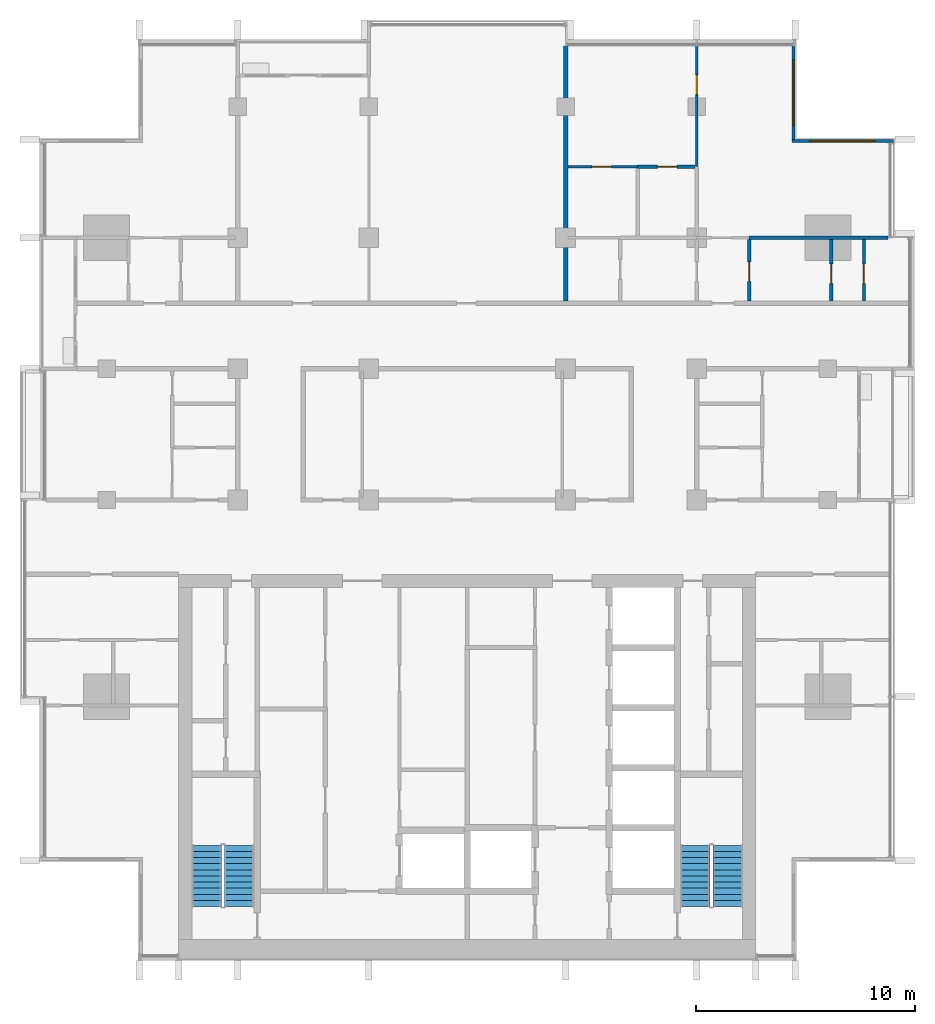
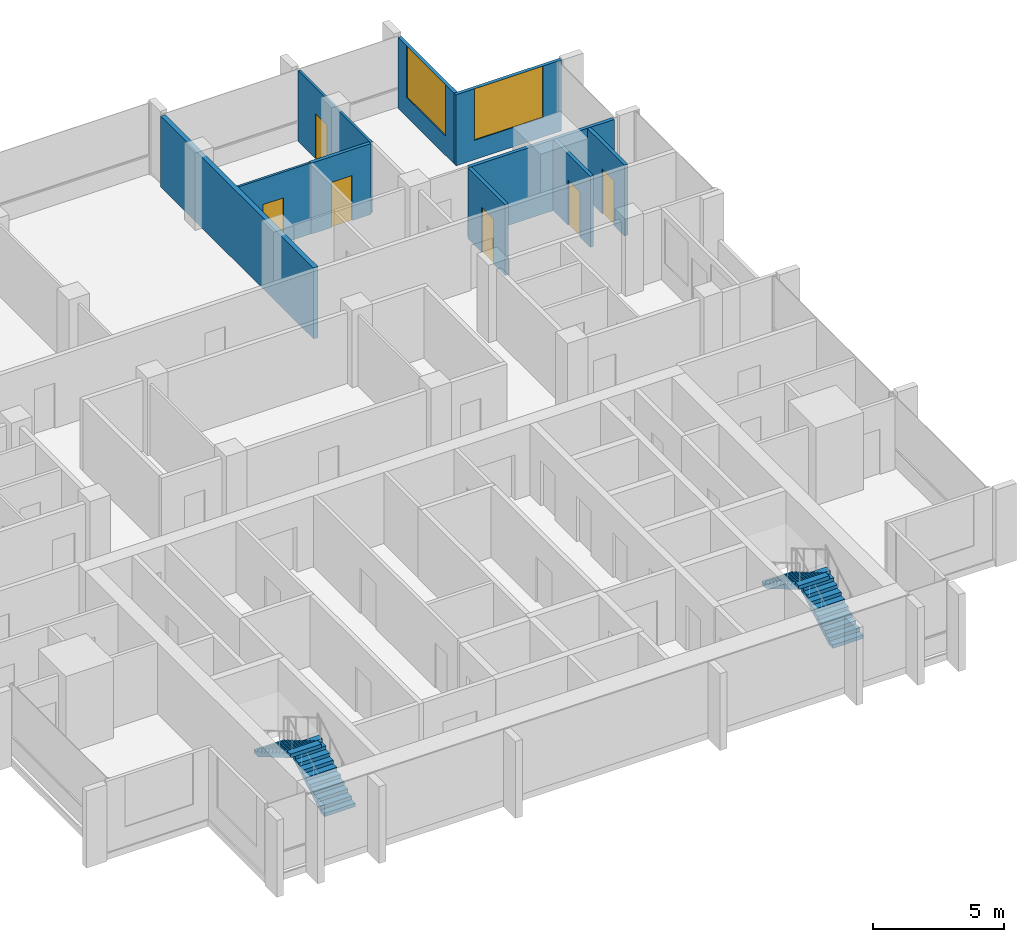
# One storey, part 11 of 16: 10 walls, 6 doors, 4 stair flights, 2 windows, 8 openings, 2 elements without a shape of their own.
"""IFC4 building model written with IfcOpenShell, lengths in metres."""

from ifc_helpers import new_model, si_unit, direction, frame, frame_2d, origin, place, context, subcontext, project, spatial, polyline, rectangle, outline, extrude, material, layer, layer_set, type_object, element, fill, aggregate, save


model = new_model("IFC4")

# Units and contexts
model_context = context("Model", 3, precision=1e-05, world=origin(), true_north=direction((0.0, 1.0)))
body_context = subcontext(model_context, "Body", "Model", "MODEL_VIEW")
ifc_project = project(units=[si_unit("LENGTHUNIT", "METRE"), si_unit("AREAUNIT", "SQUARE_METRE"), si_unit("VOLUMEUNIT", "CUBIC_METRE"), si_unit("PLANEANGLEUNIT", "RADIAN"), si_unit("MASSUNIT", "GRAM", prefix="KILO")], contexts=[model_context])

# Site, building, storey
site_placement = place(None, origin())
site = spatial("IfcSite", under=ifc_project, at=site_placement, CompositionType="ELEMENT")
building_placement = place(site_placement, origin())
building = spatial("IfcBuilding", under=site, at=building_placement, Name="Finial Court Residences", CompositionType="ELEMENT")
storey_placement = place(building_placement, frame((0.0, 0.0, 208.699951171875)))
storey = spatial("IfcBuildingStorey", under=building, at=storey_placement, Name="L52", CompositionType="ELEMENT", Elevation=208.699951171875)

# Wall
ifc_material_1 = material(Name="Gypsum board")
ifc_layer_1 = layer(ifc_material_1, 0.02490234375)
ifc_material_2 = material(Name="Acoustic mineral wool in double frame")
ifc_layer_2 = layer(ifc_material_2, 0.14990234375)
ifc_layer_3 = layer(ifc_material_1, 0.02490234375)
ifc_layer_set_1 = layer_set([ifc_layer_1, ifc_layer_2, ifc_layer_3], Name="Corridor wall 200, 1 hour")
wall_type_1 = type_object("IfcWallType", Name="Corridor wall 200, 1 hour", PredefinedType="PARTITIONING", material=ifc_layer_set_1)
wall_1_placement = place(storey_placement, frame((4.5, 4.60009765625, 0.0), z_axis=(0.0, 0.0, 1.0), x_axis=(0.0, 1.0, 0.0)))
element("IfcWall", 1, at=wall_1_placement, inside=storey, type_object=wall_type_1, Name="Partition L52-037", PredefinedType="PARTITIONING", context=body_context, shape_type="SweptSolid", body=[
    extrude(rectangle(XDim=11.662353515625, YDim=0.199951171875, at=frame_2d((5.8310546875, 0.0))), origin(), (0.0, 0.0, 1.0), 3.300048828125),
])

# Wall, opening, door
ifc_layer_4 = layer(ifc_material_1, 0.012451171875)
ifc_material_3 = material(Name="Mineral wool in light-gauge frame")
ifc_layer_5 = layer(ifc_material_3, 0.074951171875)
ifc_layer_6 = layer(ifc_material_1, 0.012451171875)
ifc_layer_set_2 = layer_set([ifc_layer_4, ifc_layer_5, ifc_layer_6], Name="Gypsum board partition 100")
wall_type_2 = type_object("IfcWallType", Name="Gypsum board partition 100", PredefinedType="PARTITIONING", material=ifc_layer_set_2)
wall_2_placement = place(storey_placement, frame((4.60009765625, 10.75, 0.0), z_axis=(0.0, 0.0, 1.0), x_axis=(1.0, 0.0, 0.0)))
wall_2 = element("IfcWall", 2, at=wall_2_placement, inside=storey, type_object=wall_type_2, Name="Partition L52-024", PredefinedType="PARTITIONING", context=body_context, shape_type="SweptSolid", body=[
    extrude(rectangle(XDim=3.199951171875, YDim=0.10009765625, at=frame_2d((1.60009765625, 0.0))), origin(), (0.0, 0.0, 1.0), 3.300048828125),
])
opening_1_placement = place(wall_2_placement, frame((1.10009765625, 0.0, 0.0)))
opening_1 = element("IfcOpeningElement", 3, at=opening_1_placement, cuts=wall_2, Name="Opening L52-D022", PredefinedType="OPENING", context=body_context, shape_type="SweptSolid", body=[
    extrude(rectangle(XDim=0.89990234375, YDim=2.10009765625, at=frame_2d((0.449951171875, 1.050048828125))), frame((0.0, 0.06005859375, 0.0), z_axis=(0.0, -1.0, 0.0), x_axis=(1.0, 0.0, 0.0)), (0.0, 0.0, 1.0), 0.1201171875),
])
ifc_material_4 = material(Name="Timber door leaf in timber frame", Category="wood")
door_type = type_object("IfcDoorType", Name="Door set 900 x 2100", OperationType="SINGLE_SWING_LEFT", PredefinedType="DOOR", material=ifc_material_4)
door_1_placement = place(opening_1_placement, origin())
door_1 = element("IfcDoor", 4, at=door_1_placement, inside=storey, type_object=door_type, Name="Door L52-D022", OperationType="SINGLE_SWING_LEFT", OverallHeight=2.10009765625, OverallWidth=0.89990234375, PredefinedType="DOOR", context=body_context, shape_type="SweptSolid", body=[
    extrude(rectangle(XDim=0.89990234375, YDim=2.10009765625, at=frame_2d((0.449951171875, 1.050048828125))), frame((0.0, 0.02490234375, 0.0), z_axis=(0.0, -1.0, 0.0), x_axis=(1.0, 0.0, 0.0)), (0.0, 0.0, 1.0), 0.050048828125),
])
fill(opening_1, door_1)

wall_3_placement = place(storey_placement, frame((10.5, 10.75, 0.0), z_axis=(0.0, 0.0, 1.0), x_axis=(0.0, 1.0, 0.0)))
wall_3 = element("IfcWall", 5, at=wall_3_placement, inside=storey, type_object=wall_type_2, Name="Partition L52-042", PredefinedType="PARTITIONING", context=body_context, shape_type="SweptSolid", body=[
    extrude(rectangle(XDim=5.512451171875, YDim=0.10009765625, at=frame_2d((2.75634765625, 0.0))), origin(), (0.0, 0.0, 1.0), 3.300048828125),
])
opening_2_placement = place(wall_3_placement, frame((3.300048828125, 0.0, 0.0)))
opening_2 = element("IfcOpeningElement", 6, at=opening_2_placement, cuts=wall_3, Name="Opening L52-D029", PredefinedType="OPENING", context=body_context, shape_type="SweptSolid", body=[
    extrude(rectangle(XDim=0.89990234375, YDim=2.10009765625, at=frame_2d((0.449951171875, 1.050048828125))), frame((0.0, 0.06005859375, 0.0), z_axis=(0.0, -1.0, 0.0), x_axis=(1.0, 0.0, 0.0)), (0.0, 0.0, 1.0), 0.1201171875),
])
door_2_placement = place(opening_2_placement, origin())
door_2 = element("IfcDoor", 7, at=door_2_placement, inside=storey, type_object=door_type, Name="Door L52-D029", OperationType="SINGLE_SWING_LEFT", OverallHeight=2.10009765625, OverallWidth=0.89990234375, PredefinedType="DOOR", context=body_context, shape_type="SweptSolid", body=[
    extrude(rectangle(XDim=0.89990234375, YDim=2.10009765625, at=frame_2d((0.449951171875, 1.050048828125))), frame((0.0, 0.02490234375, 0.0), z_axis=(0.0, -1.0, 0.0), x_axis=(1.0, 0.0, 0.0)), (0.0, 0.0, 1.0), 0.050048828125),
])
fill(opening_2, door_2)

# Wall
ifc_material_5 = material(Name="Moisture-resistant gypsum board")
ifc_layer_7 = layer(ifc_material_5, 0.012451171875)
ifc_layer_8 = layer(ifc_material_3, 0.125)
ifc_layer_9 = layer(ifc_material_5, 0.012451171875)
ifc_layer_set_3 = layer_set([ifc_layer_7, ifc_layer_8, ifc_layer_9], Name="Gypsum board wet-area partition 150")
wall_type_3 = type_object("IfcWallType", Name="Gypsum board wet-area partition 150", PredefinedType="PARTITIONING", material=ifc_layer_set_3)
wall_4_placement = place(storey_placement, frame((12.89990234375, 7.5, 0.0), z_axis=(0.0, 0.0, 1.0), x_axis=(1.0, 0.0, 0.0)))
element("IfcWall", 8, at=wall_4_placement, inside=storey, type_object=wall_type_3, Name="Partition L52-023", PredefinedType="PARTITIONING", context=body_context, shape_type="SweptSolid", body=[
    extrude(rectangle(XDim=6.362548828125, YDim=0.14990234375, at=frame_2d((3.18115234375, 0.0))), origin(), (0.0, 0.0, 1.0), 3.300048828125),
])

# Wall, opening, door
wall_5_placement = place(storey_placement, frame((7.800048828125, 10.75, 0.0), z_axis=(0.0, 0.0, 1.0), x_axis=(1.0, 0.0, 0.0)))
wall_5 = element("IfcWall", 9, at=wall_5_placement, inside=storey, type_object=wall_type_3, Name="Partition L52-025", PredefinedType="PARTITIONING", context=body_context, shape_type="SweptSolid", body=[
    extrude(rectangle(XDim=2.625, YDim=0.14990234375, at=frame_2d((1.3125, 0.0))), origin(), (0.0, 0.0, 1.0), 3.300048828125),
])
opening_3_placement = place(wall_5_placement, frame((0.89990234375, 0.0, 0.0)))
opening_3 = element("IfcOpeningElement", 10, at=opening_3_placement, cuts=wall_5, Name="Opening L52-D023", PredefinedType="OPENING", context=body_context, shape_type="SweptSolid", body=[
    extrude(rectangle(XDim=0.89990234375, YDim=2.10009765625, at=frame_2d((0.449951171875, 1.050048828125))), frame((0.0, 0.0849609375, 0.0), z_axis=(0.0, -1.0, 0.0), x_axis=(1.0, 0.0, 0.0)), (0.0, 0.0, 1.0), 0.169921875),
])
door_3_placement = place(opening_3_placement, origin())
door_3 = element("IfcDoor", 11, at=door_3_placement, inside=storey, type_object=door_type, Name="Door L52-D023", OperationType="SINGLE_SWING_RIGHT", OverallHeight=2.10009765625, OverallWidth=0.89990234375, PredefinedType="DOOR", context=body_context, shape_type="SweptSolid", body=[
    extrude(rectangle(XDim=0.89990234375, YDim=2.10009765625, at=frame_2d((0.449951171875, 1.050048828125))), frame((0.0, 0.02490234375, 0.0), z_axis=(0.0, -1.0, 0.0), x_axis=(1.0, 0.0, 0.0)), (0.0, 0.0, 1.0), 0.050048828125),
])
fill(opening_3, door_3)

wall_6_placement = place(storey_placement, frame((12.89990234375, 4.60009765625, 0.0), z_axis=(0.0, 0.0, 1.0), x_axis=(0.0, 1.0, 0.0)))
wall_6 = element("IfcWall", 12, at=wall_6_placement, inside=storey, type_object=wall_type_3, Name="Partition L52-045", PredefinedType="PARTITIONING", context=body_context, shape_type="SweptSolid", body=[
    extrude(rectangle(XDim=2.824951171875, YDim=0.14990234375, at=frame_2d((1.41259765625, 0.0))), origin(), (0.0, 0.0, 1.0), 3.300048828125),
])
opening_4_placement = place(wall_6_placement, frame((0.89990234375, 0.0, 0.0)))
opening_4 = element("IfcOpeningElement", 13, at=opening_4_placement, cuts=wall_6, Name="Opening L52-D031", PredefinedType="OPENING", context=body_context, shape_type="SweptSolid", body=[
    extrude(rectangle(XDim=0.89990234375, YDim=2.10009765625, at=frame_2d((0.449951171875, 1.050048828125))), frame((0.0, 0.0849609375, 0.0), z_axis=(0.0, -1.0, 0.0), x_axis=(1.0, 0.0, 0.0)), (0.0, 0.0, 1.0), 0.169921875),
])
door_4_placement = place(opening_4_placement, origin())
door_4 = element("IfcDoor", 14, at=door_4_placement, inside=storey, type_object=door_type, Name="Door L52-D031", OperationType="SINGLE_SWING_LEFT", OverallHeight=2.10009765625, OverallWidth=0.89990234375, PredefinedType="DOOR", context=body_context, shape_type="SweptSolid", body=[
    extrude(rectangle(XDim=0.89990234375, YDim=2.10009765625, at=frame_2d((0.449951171875, 1.050048828125))), frame((0.0, 0.02490234375, 0.0), z_axis=(0.0, -1.0, 0.0), x_axis=(1.0, 0.0, 0.0)), (0.0, 0.0, 1.0), 0.050048828125),
])
fill(opening_4, door_4)

wall_7_placement = place(storey_placement, frame((16.64990234375, 4.60009765625, 0.0), z_axis=(0.0, 0.0, 1.0), x_axis=(0.0, 1.0, 0.0)))
wall_7 = element("IfcWall", 15, at=wall_7_placement, inside=storey, type_object=wall_type_3, Name="Partition L52-049", PredefinedType="PARTITIONING", context=body_context, shape_type="SweptSolid", body=[
    extrude(rectangle(XDim=2.824951171875, YDim=0.14990234375, at=frame_2d((1.41259765625, 0.0))), origin(), (0.0, 0.0, 1.0), 3.300048828125),
])
opening_5_placement = place(wall_7_placement, frame((0.800048828125, 0.0, 0.0)))
opening_5 = element("IfcOpeningElement", 16, at=opening_5_placement, cuts=wall_7, Name="Opening L52-D034", PredefinedType="OPENING", context=body_context, shape_type="SweptSolid", body=[
    extrude(rectangle(XDim=0.89990234375, YDim=2.10009765625, at=frame_2d((0.449951171875, 1.050048828125))), frame((0.0, 0.0849609375, 0.0), z_axis=(0.0, -1.0, 0.0), x_axis=(1.0, 0.0, 0.0)), (0.0, 0.0, 1.0), 0.169921875),
])
door_5_placement = place(opening_5_placement, origin())
door_5 = element("IfcDoor", 17, at=door_5_placement, inside=storey, type_object=door_type, Name="Door L52-D034", OperationType="SINGLE_SWING_LEFT", OverallHeight=2.10009765625, OverallWidth=0.89990234375, PredefinedType="DOOR", context=body_context, shape_type="SweptSolid", body=[
    extrude(rectangle(XDim=0.89990234375, YDim=2.10009765625, at=frame_2d((0.449951171875, 1.050048828125))), frame((0.0, 0.02490234375, 0.0), z_axis=(0.0, -1.0, 0.0), x_axis=(1.0, 0.0, 0.0)), (0.0, 0.0, 1.0), 0.050048828125),
])
fill(opening_5, door_5)

wall_8_placement = place(storey_placement, frame((18.14990234375, 4.60009765625, 0.0), z_axis=(0.0, 0.0, 1.0), x_axis=(0.0, 1.0, 0.0)))
wall_8 = element("IfcWall", 18, at=wall_8_placement, inside=storey, type_object=wall_type_3, Name="Partition L52-050", PredefinedType="PARTITIONING", context=body_context, shape_type="SweptSolid", body=[
    extrude(rectangle(XDim=2.824951171875, YDim=0.14990234375, at=frame_2d((1.41259765625, 0.0))), origin(), (0.0, 0.0, 1.0), 3.300048828125),
])
opening_6_placement = place(wall_8_placement, frame((0.800048828125, 0.0, 0.0)))
opening_6 = element("IfcOpeningElement", 19, at=opening_6_placement, cuts=wall_8, Name="Opening L52-D035", PredefinedType="OPENING", context=body_context, shape_type="SweptSolid", body=[
    extrude(rectangle(XDim=0.89990234375, YDim=2.10009765625, at=frame_2d((0.449951171875, 1.050048828125))), frame((0.0, 0.0849609375, 0.0), z_axis=(0.0, -1.0, 0.0), x_axis=(1.0, 0.0, 0.0)), (0.0, 0.0, 1.0), 0.169921875),
])
door_6_placement = place(opening_6_placement, origin())
door_6 = element("IfcDoor", 20, at=door_6_placement, inside=storey, type_object=door_type, Name="Door L52-D035", OperationType="SINGLE_SWING_LEFT", OverallHeight=2.10009765625, OverallWidth=0.89990234375, PredefinedType="DOOR", context=body_context, shape_type="SweptSolid", body=[
    extrude(rectangle(XDim=0.89990234375, YDim=2.10009765625, at=frame_2d((0.449951171875, 1.050048828125))), frame((0.0, 0.02490234375, 0.0), z_axis=(0.0, -1.0, 0.0), x_axis=(1.0, 0.0, 0.0)), (0.0, 0.0, 1.0), 0.050048828125),
])
fill(opening_6, door_6)

# Wall, opening, window
ifc_material_6 = material(Name="Natural limestone", Category="masonry")
ifc_layer_10 = layer(ifc_material_6, 0.14990234375)
ifc_layer_set_4 = layer_set([ifc_layer_10], Name="Limestone clad wall 150")
wall_type_4 = type_object("IfcWallType", Name="Limestone clad wall 150", PredefinedType="SOLIDWALL", material=ifc_layer_set_4)
wall_9_placement = place(storey_placement, frame((14.925048828125, 16.262451171875, 0.0), z_axis=(0.0, 0.0, 1.0), x_axis=(0.0, -1.0, 0.0)))
wall_9 = element("IfcWall", 21, at=wall_9_placement, inside=storey, type_object=wall_type_4, Name="E-L52-NWE19", PredefinedType="SOLIDWALL", context=body_context, shape_type="SweptSolid", body=[
    extrude(rectangle(XDim=4.262451171875, YDim=0.14990234375, at=frame_2d((2.13134765625, 0.0))), origin(), (0.0, 0.0, 1.0), 3.300048828125),
])
opening_7_placement = place(wall_9_placement, frame((0.631103515625, 0.0, 0.89990234375)))
opening_7 = element("IfcOpeningElement", 22, at=opening_7_placement, cuts=wall_9, Name="Opening WE52-07", PredefinedType="OPENING", context=body_context, shape_type="SweptSolid", body=[
    extrude(rectangle(XDim=3.0, YDim=2.39990234375, at=frame_2d((1.5, 1.199951171875))), frame((0.0, 0.0849609375, 0.0), z_axis=(0.0, -1.0, 0.0), x_axis=(1.0, 0.0, 0.0)), (0.0, 0.0, 1.0), 0.169921875),
])
ifc_material_7 = material(Name="Clear low-e glass", Category="glass")
window_type = type_object("IfcWindowType", Name="Corner window 3000 x 2400", PartitioningType="SINGLE_PANEL", PredefinedType="WINDOW", material=ifc_material_7)
window_1_placement = place(opening_7_placement, origin())
window_1 = element("IfcWindow", 23, at=window_1_placement, inside=storey, type_object=window_type, Name="E-L52-NWE19-W1", OverallHeight=2.39990234375, OverallWidth=3.0, PartitioningType="SINGLE_PANEL", PredefinedType="WINDOW", context=body_context, shape_type="SweptSolid", body=[
    extrude(rectangle(XDim=3.0, YDim=2.39990234375, at=frame_2d((1.5, 1.199951171875))), frame((0.0, 0.030029296875, 0.0), z_axis=(0.0, -1.0, 0.0), x_axis=(1.0, 0.0, 0.0)), (0.0, 0.0, 1.0), 0.06005859375),
])
fill(opening_7, window_1)

wall_10_placement = place(storey_placement, frame((14.85009765625, 11.925048828125, 0.0), z_axis=(0.0, 0.0, 1.0), x_axis=(1.0, 0.0, 0.0)))
wall_10 = element("IfcWall", 24, at=wall_10_placement, inside=storey, type_object=wall_type_4, Name="E-L52-NWN20", PredefinedType="SOLIDWALL", context=body_context, shape_type="SweptSolid", body=[
    extrude(rectangle(XDim=4.64990234375, YDim=0.14990234375, at=frame_2d((2.324951171875, 0.0))), origin(), (0.0, 0.0, 1.0), 3.300048828125),
])
opening_8_placement = place(wall_10_placement, frame((0.824951171875, 0.0, 0.89990234375)))
opening_8 = element("IfcOpeningElement", 25, at=opening_8_placement, cuts=wall_10, Name="Opening WE52-08", PredefinedType="OPENING", context=body_context, shape_type="SweptSolid", body=[
    extrude(rectangle(XDim=3.0, YDim=2.39990234375, at=frame_2d((1.5, 1.199951171875))), frame((0.0, 0.0849609375, 0.0), z_axis=(0.0, -1.0, 0.0), x_axis=(1.0, 0.0, 0.0)), (0.0, 0.0, 1.0), 0.169921875),
])
window_2_placement = place(opening_8_placement, origin())
window_2 = element("IfcWindow", 26, at=window_2_placement, inside=storey, type_object=window_type, Name="E-L52-NWN20-W1", OverallHeight=2.39990234375, OverallWidth=3.0, PartitioningType="SINGLE_PANEL", PredefinedType="WINDOW", context=body_context, shape_type="SweptSolid", body=[
    extrude(rectangle(XDim=3.0, YDim=2.39990234375, at=frame_2d((1.5, 1.199951171875))), frame((0.0, 0.030029296875, 0.0), z_axis=(0.0, -1.0, 0.0), x_axis=(1.0, 0.0, 0.0)), (0.0, 0.0, 1.0), 0.06005859375),
])
fill(opening_8, window_2)

# Stair, stair flights
ifc_material_8 = material(Name="Concrete C50/60", Category="concrete")
stair_type = type_object("IfcStairType", Name="Exit stair 22 risers of 163.6 mm", PredefinedType="HALF_TURN_STAIR", material=ifc_material_8)
stair_1_placement = place(storey_placement, origin())
stair_1 = element("IfcStair", 27, at=stair_1_placement, inside=storey, type_object=stair_type, Name="L52 Exit stair ST-1", PredefinedType="HALF_TURN_STAIR")
stair_flight_type = type_object("IfcStairFlightType", Name="Exit stair flight", PredefinedType="STRAIGHT", material=ifc_material_8)
stair_flight_1_placement = place(storey_placement, frame((-10.425048828125, -23.10009765625, 0.0), z_axis=(0.0, 0.0, 1.0), x_axis=(0.0, 1.0, 0.0)))
stair_flight_1 = element("IfcStairFlight", 28, at=stair_flight_1_placement, type_object=stair_flight_type, Name="ST-1 flight 1", NumberOfRisers=11, NumberOfTreads=10, PredefinedType="STRAIGHT", RiserHeight=0.163636364, TreadLength=0.28, context=body_context, shape_type="SweptSolid", body=[
    extrude(outline(polyline([(0.0, 0.0), (0.0, 0.16357421875), (0.280029296875, 0.16357421875), (0.280029296875, 0.327392578125), (0.56005859375, 0.327392578125), (0.56005859375, 0.490966796875), (0.840087890625, 0.490966796875), (0.840087890625, 0.654541015625), (1.1201171875, 0.654541015625), (1.1201171875, 0.818115234375), (1.39990234375, 0.818115234375), (1.39990234375, 0.98193359375), (1.679931640625, 0.98193359375), (1.679931640625, 1.1455078125), (1.9599609375, 1.1455078125), (1.9599609375, 1.30908203125), (2.239990234375, 1.30908203125), (2.239990234375, 1.47265625), (2.52001953125, 1.47265625), (2.52001953125, 1.636474609375), (2.800048828125, 1.636474609375), (2.800048828125, 1.800048828125), (2.800048828125, 1.462646484375), (0.297119140625, 0.0), (0.0, 0.0)])), frame((0.0, 0.675048828125, 0.0), z_axis=(0.0, -1.0, 0.0), x_axis=(1.0, 0.0, 0.0)), (0.0, 0.0, 1.0), 1.35009765625),
])
stair_flight_2_placement = place(storey_placement, frame((-11.925048828125, -20.300048828125, 1.800048828125), z_axis=(0.0, 0.0, 1.0), x_axis=(0.0, -1.0, 0.0)))
stair_flight_2 = element("IfcStairFlight", 29, at=stair_flight_2_placement, type_object=stair_flight_type, Name="ST-1 flight 2", NumberOfRisers=11, NumberOfTreads=10, PredefinedType="STRAIGHT", RiserHeight=0.163636364, TreadLength=0.28, context=body_context, shape_type="SweptSolid", body=[
    extrude(outline(polyline([(0.0, 0.0), (0.0, 0.16357421875), (0.280029296875, 0.16357421875), (0.280029296875, 0.327392578125), (0.56005859375, 0.327392578125), (0.56005859375, 0.490966796875), (0.840087890625, 0.490966796875), (0.840087890625, 0.654541015625), (1.1201171875, 0.654541015625), (1.1201171875, 0.818115234375), (1.39990234375, 0.818115234375), (1.39990234375, 0.98193359375), (1.679931640625, 0.98193359375), (1.679931640625, 1.1455078125), (1.9599609375, 1.1455078125), (1.9599609375, 1.30908203125), (2.239990234375, 1.30908203125), (2.239990234375, 1.47265625), (2.52001953125, 1.47265625), (2.52001953125, 1.636474609375), (2.800048828125, 1.636474609375), (2.800048828125, 1.800048828125), (2.800048828125, 1.462646484375), (0.297119140625, 0.0), (0.0, 0.0)])), frame((0.0, 0.675048828125, 0.0), z_axis=(0.0, -1.0, 0.0), x_axis=(1.0, 0.0, 0.0)), (0.0, 0.0, 1.0), 1.35009765625),
])
aggregate(stair_1, [stair_flight_1, stair_flight_2])

stair_2_placement = place(storey_placement, origin())
stair_2 = element("IfcStair", 30, at=stair_2_placement, inside=storey, type_object=stair_type, Name="L52 Exit stair ST-2", PredefinedType="HALF_TURN_STAIR")
stair_flight_3_placement = place(storey_placement, frame((11.925048828125, -23.10009765625, 0.0), z_axis=(0.0, 0.0, 1.0), x_axis=(0.0, 1.0, 0.0)))
stair_flight_3 = element("IfcStairFlight", 31, at=stair_flight_3_placement, type_object=stair_flight_type, Name="ST-2 flight 1", NumberOfRisers=11, NumberOfTreads=10, PredefinedType="STRAIGHT", RiserHeight=0.163636364, TreadLength=0.28, context=body_context, shape_type="SweptSolid", body=[
    extrude(outline(polyline([(0.0, 0.0), (0.0, 0.16357421875), (0.280029296875, 0.16357421875), (0.280029296875, 0.327392578125), (0.56005859375, 0.327392578125), (0.56005859375, 0.490966796875), (0.840087890625, 0.490966796875), (0.840087890625, 0.654541015625), (1.1201171875, 0.654541015625), (1.1201171875, 0.818115234375), (1.39990234375, 0.818115234375), (1.39990234375, 0.98193359375), (1.679931640625, 0.98193359375), (1.679931640625, 1.1455078125), (1.9599609375, 1.1455078125), (1.9599609375, 1.30908203125), (2.239990234375, 1.30908203125), (2.239990234375, 1.47265625), (2.52001953125, 1.47265625), (2.52001953125, 1.636474609375), (2.800048828125, 1.636474609375), (2.800048828125, 1.800048828125), (2.800048828125, 1.462646484375), (0.297119140625, 0.0), (0.0, 0.0)])), frame((0.0, 0.675048828125, 0.0), z_axis=(0.0, -1.0, 0.0), x_axis=(1.0, 0.0, 0.0)), (0.0, 0.0, 1.0), 1.35009765625),
])
stair_flight_4_placement = place(storey_placement, frame((10.425048828125, -20.300048828125, 1.800048828125), z_axis=(0.0, 0.0, 1.0), x_axis=(0.0, -1.0, 0.0)))
stair_flight_4 = element("IfcStairFlight", 32, at=stair_flight_4_placement, type_object=stair_flight_type, Name="ST-2 flight 2", NumberOfRisers=11, NumberOfTreads=10, PredefinedType="STRAIGHT", RiserHeight=0.163636364, TreadLength=0.28, context=body_context, shape_type="SweptSolid", body=[
    extrude(outline(polyline([(0.0, 0.0), (0.0, 0.16357421875), (0.280029296875, 0.16357421875), (0.280029296875, 0.327392578125), (0.56005859375, 0.327392578125), (0.56005859375, 0.490966796875), (0.840087890625, 0.490966796875), (0.840087890625, 0.654541015625), (1.1201171875, 0.654541015625), (1.1201171875, 0.818115234375), (1.39990234375, 0.818115234375), (1.39990234375, 0.98193359375), (1.679931640625, 0.98193359375), (1.679931640625, 1.1455078125), (1.9599609375, 1.1455078125), (1.9599609375, 1.30908203125), (2.239990234375, 1.30908203125), (2.239990234375, 1.47265625), (2.52001953125, 1.47265625), (2.52001953125, 1.636474609375), (2.800048828125, 1.636474609375), (2.800048828125, 1.800048828125), (2.800048828125, 1.462646484375), (0.297119140625, 0.0), (0.0, 0.0)])), frame((0.0, 0.675048828125, 0.0), z_axis=(0.0, -1.0, 0.0), x_axis=(1.0, 0.0, 0.0)), (0.0, 0.0, 1.0), 1.35009765625),
])
aggregate(stair_2, [stair_flight_3, stair_flight_4])

save(model, "model.ifc")
